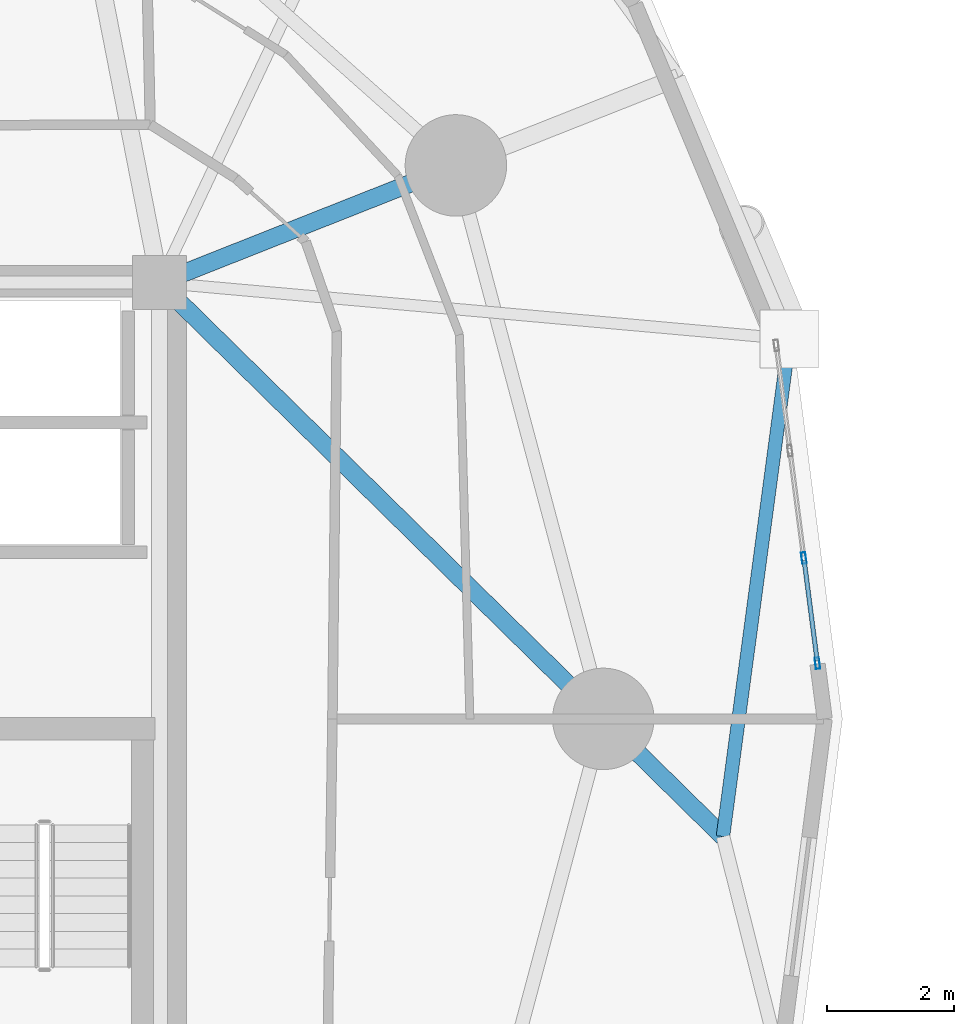
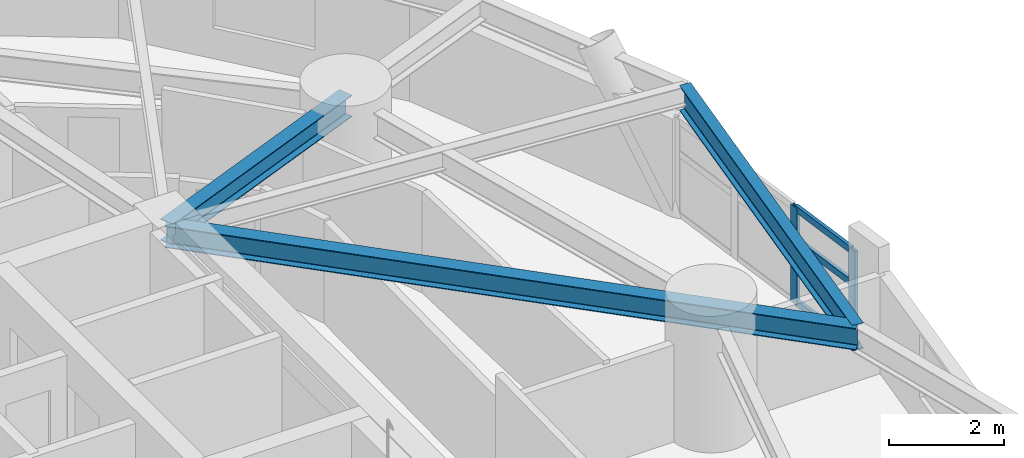
# One storey, part 2 of 18: 5 members, 3 beams, 1 element without a shape of its own.
"""IFC4 building model written with IfcOpenShell, lengths in metres."""

from ifc_helpers import new_model, si_unit, direction, frame, origin, origin_2d, place, context, subcontext, project, spatial, hollow_rectangle, i_section, extrude, material, layer, layer_set, material_profile, profile_set, type_object, element, aggregate, save


model = new_model("IFC4")

# Units and contexts
model_context = context("Model", 3, precision=1e-05, world=origin(), true_north=direction((0.0, 1.0)))
body_context = subcontext(model_context, "Body", "Model", "MODEL_VIEW")
ifc_project = project(units=[si_unit("LENGTHUNIT", "METRE"), si_unit("AREAUNIT", "SQUARE_METRE"), si_unit("VOLUMEUNIT", "CUBIC_METRE"), si_unit("PLANEANGLEUNIT", "RADIAN"), si_unit("MASSUNIT", "GRAM", prefix="KILO")], contexts=[model_context])

# Site, building, storey
site_placement = place(None, origin())
site = spatial("IfcSite", under=ifc_project, at=site_placement, CompositionType="ELEMENT")
building_placement = place(site_placement, origin())
building = spatial("IfcBuilding", under=site, at=building_placement, Name="Cununo Teusaquillo Station Towers", CompositionType="ELEMENT")
storey_placement = place(building_placement, frame((0.0, 0.0, 56.919921875)))
storey = spatial("IfcBuildingStorey", under=building, at=storey_placement, Name="L17", CompositionType="ELEMENT", Elevation=56.919921875)

# Beams
ifc_material_1 = material(Name="Steel ASTM A572 Grade 50", Category="steel")
ifc_material_profile_1 = material_profile(ifc_material_1, i_section(OverallWidth=0.280029296875, OverallDepth=0.462890625, WebThickness=0.0107421875, FlangeThickness=0.017333984375, FilletRadius=0.013916015625, at=origin_2d()), Name="W18X76")
ifc_profile_set_1 = profile_set([ifc_material_profile_1], Name="Steel ASTM A572 Grade 50")
beam_type_1 = type_object("IfcBeamType", Name="BM-RAD-G1", PredefinedType="BEAM", material=ifc_profile_set_1)
beam_1_placement = place(storey_placement, frame((21.675048828125, 31.3798828125, 2.41845703125), z_axis=(0.713048497084, -0.701114713015, 0.0), x_axis=(0.701114713015, 0.713048497084, 0.0)))
element("IfcBeam", 1, at=beam_1_placement, inside=storey, type_object=beam_type_1, Name="L17 Tower A Continuous Overhanging Radial Girder 01", PredefinedType="BEAM", context=body_context, shape_type="SweptSolid", body=[
    extrude(i_section(OverallWidth=0.280029296875, OverallDepth=0.462890625, WebThickness=0.0107421875, FlangeThickness=0.017333984375, FilletRadius=0.013916015625, at=origin_2d()), origin(), (0.0, 0.0, 1.0), 12.458984375),
])
beam_2_placement = place(storey_placement, frame((21.675048828125, 31.3798828125, 2.41845703125), z_axis=(0.929864104313, 0.367903176814, 0.0), x_axis=(-0.367903176814, 0.929864104313, 0.0)))
element("IfcBeam", 2, at=beam_2_placement, inside=storey, type_object=beam_type_1, Name="L17 Tower A Radial Girder 02A", PredefinedType="BEAM", context=body_context, shape_type="SweptSolid", body=[
    extrude(i_section(OverallWidth=0.280029296875, OverallDepth=0.462890625, WebThickness=0.0107421875, FlangeThickness=0.017333984375, FilletRadius=0.013916015625, at=origin_2d()), origin(), (0.0, 0.0, 1.0), 5.02490234375),
])
ifc_material_2 = material(Name="Steel ASTM A572 Grade 50", Category="steel")
ifc_material_profile_2 = material_profile(ifc_material_2, i_section(OverallWidth=0.214111328125, OverallDepth=0.549072265625, WebThickness=0.0146484375, FlangeThickness=0.023681640625, FilletRadius=0.014892578125, at=origin_2d()), Name="W21X93")
ifc_profile_set_2 = profile_set([ifc_material_profile_2], Name="Steel ASTM A572 Grade 50")
beam_type_2 = type_object("IfcBeamType", Name="BM-RING-Z1", PredefinedType="SPANDREL", material=ifc_profile_set_2)
beam_3_placement = place(storey_placement, frame((30.558837890625, 22.644775390625, 2.37548828125), z_axis=(0.132240482179, 0.991217662712, 0.0), x_axis=(-0.991217662712, 0.132240482179, 0.0)))
element("IfcBeam", 3, at=beam_3_placement, inside=storey, type_object=beam_type_2, Name="L17 Tower A Spandrel Ring Beam 01", PredefinedType="SPANDREL", context=body_context, shape_type="SweptSolid", body=[
    extrude(i_section(OverallWidth=0.214111328125, OverallDepth=0.549072265625, WebThickness=0.0146484375, FlangeThickness=0.023681640625, FilletRadius=0.014892578125, at=origin_2d()), origin(), (0.0, 0.0, 1.0), 7.91650390625),
])

# Curtain wall, members
ifc_material_3 = material(Name="Operable acoustic tinted low-E double glazing", Category="glass")
ifc_layer = layer(ifc_material_3, 0.179931640625)
ifc_layer_set = layer_set([ifc_layer], Name="Operable acoustic tinted low-E double glazing")
curtain_wall_type = type_object("IfcCurtainWallType", Name="CW-SYS-03", PredefinedType="USERDEFINED", material=ifc_layer_set)
curtain_wall_placement = place(storey_placement, origin())
curtain_wall = element("IfcCurtainWall", 4, at=curtain_wall_placement, inside=storey, type_object=curtain_wall_type, Name="L17 Tower A Facade Curtain Wall C00", ObjectType="OPERABLE GLAZING", PredefinedType="USERDEFINED")
ifc_material_4 = material(Name="Anodised dark bronze aluminium EN AW-6063-T6", Category="aluminium")
ifc_material_profile_3 = material_profile(ifc_material_4, hollow_rectangle(XDim=0.070068359375, YDim=0.179931640625, WallThickness=0.00390625, at=origin_2d()), Name="CW-MULL-70x180")
ifc_profile_set_3 = profile_set([ifc_material_profile_3], Name="Anodised dark bronze aluminium EN AW-6063-T6")
member_type_1 = type_object("IfcMemberType", Name="CWM-180", PredefinedType="MULLION", material=ifc_profile_set_3)
member_1_placement = place(storey_placement, frame((31.834716796875, 27.03662109375, 0.0), z_axis=(0.0, 0.0, 1.0), x_axis=(0.99173073067, 0.128336112783, 0.0)))
member_1 = element("IfcMember", 5, at=member_1_placement, type_object=member_type_1, Name="CW-03 mullion 3", PredefinedType="MULLION", context=body_context, shape_type="SweptSolid", body=[
    extrude(hollow_rectangle(XDim=0.070068359375, YDim=0.179931640625, WallThickness=0.00390625, at=origin_2d()), origin(), (0.0, 0.0, 1.0), 2.072998046875),
])
member_2_placement = place(storey_placement, frame((32.04931640625, 25.377685546875, 0.0), z_axis=(0.0, 0.0, 1.0), x_axis=(0.99173073067, 0.128336112783, 0.0)))
member_2 = element("IfcMember", 6, at=member_2_placement, type_object=member_type_1, Name="CW-03 mullion 4", PredefinedType="MULLION", context=body_context, shape_type="SweptSolid", body=[
    extrude(hollow_rectangle(XDim=0.070068359375, YDim=0.179931640625, WallThickness=0.00390625, at=origin_2d()), origin(), (0.0, 0.0, 1.0), 2.072998046875),
])
ifc_material_5 = material(Name="Anodised dark bronze aluminium EN AW-6063-T6", Category="aluminium")
ifc_material_profile_4 = material_profile(ifc_material_5, hollow_rectangle(XDim=0.070068359375, YDim=0.139892578125, WallThickness=0.00390625, at=origin_2d()), Name="CW-TRAN-70x140")
ifc_profile_set_4 = profile_set([ifc_material_profile_4], Name="Anodised dark bronze aluminium EN AW-6063-T6")
member_type_2 = type_object("IfcMemberType", Name="CWT-140", PredefinedType="USERDEFINED", material=ifc_profile_set_4)
member_3_placement = place(storey_placement, frame((31.839111328125, 27.001953125, 0.03515625), z_axis=(0.128401455372, -0.991722272745, 0.0), x_axis=(0.991722272745, 0.128401455372, 0.0)))
member_3 = element("IfcMember", 7, at=member_3_placement, type_object=member_type_2, Name="CW-03 transom 3.1", ObjectType="TRANSOM", PredefinedType="USERDEFINED", context=body_context, shape_type="SweptSolid", body=[
    extrude(hollow_rectangle(XDim=0.070068359375, YDim=0.139892578125, WallThickness=0.00390625, at=origin_2d()), origin(), (0.0, 0.0, 1.0), 1.602783203125),
])
member_4_placement = place(storey_placement, frame((31.839111328125, 27.001953125, 1.34716796875), z_axis=(0.128401455372, -0.991722272745, 0.0), x_axis=(0.991722272745, 0.128401455372, 0.0)))
member_4 = element("IfcMember", 8, at=member_4_placement, type_object=member_type_2, Name="CW-03 transom 3.2", ObjectType="TRANSOM", PredefinedType="USERDEFINED", context=body_context, shape_type="SweptSolid", body=[
    extrude(hollow_rectangle(XDim=0.070068359375, YDim=0.139892578125, WallThickness=0.00390625, at=origin_2d()), origin(), (0.0, 0.0, 1.0), 1.602783203125),
])
member_5_placement = place(storey_placement, frame((31.839111328125, 27.001953125, 2.0380859375), z_axis=(0.128401455372, -0.991722272745, 0.0), x_axis=(0.991722272745, 0.128401455372, 0.0)))
member_5 = element("IfcMember", 9, at=member_5_placement, type_object=member_type_2, Name="CW-03 transom 3.3", ObjectType="TRANSOM", PredefinedType="USERDEFINED", context=body_context, shape_type="SweptSolid", body=[
    extrude(hollow_rectangle(XDim=0.070068359375, YDim=0.139892578125, WallThickness=0.00390625, at=origin_2d()), origin(), (0.0, 0.0, 1.0), 1.602783203125),
])
aggregate(curtain_wall, [member_1, member_2, member_3, member_4, member_5])

save(model, "model.ifc")
